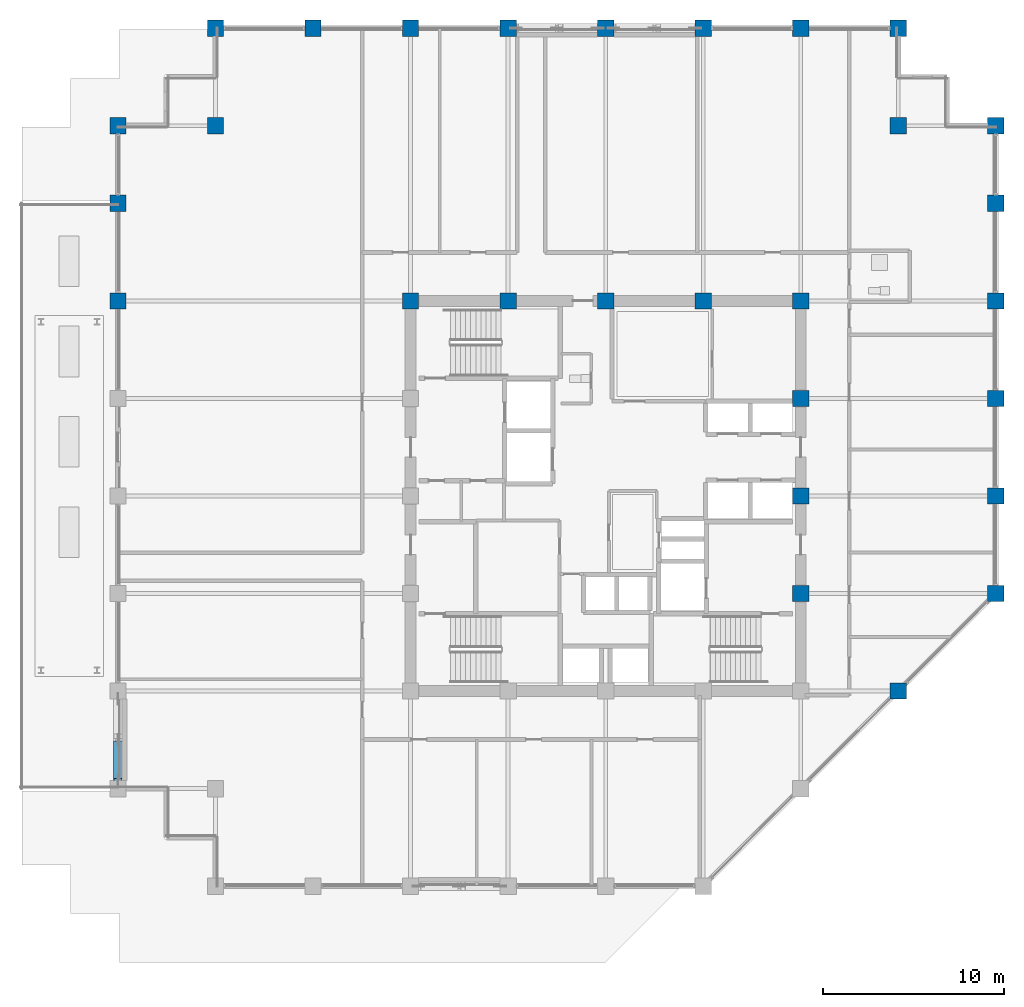
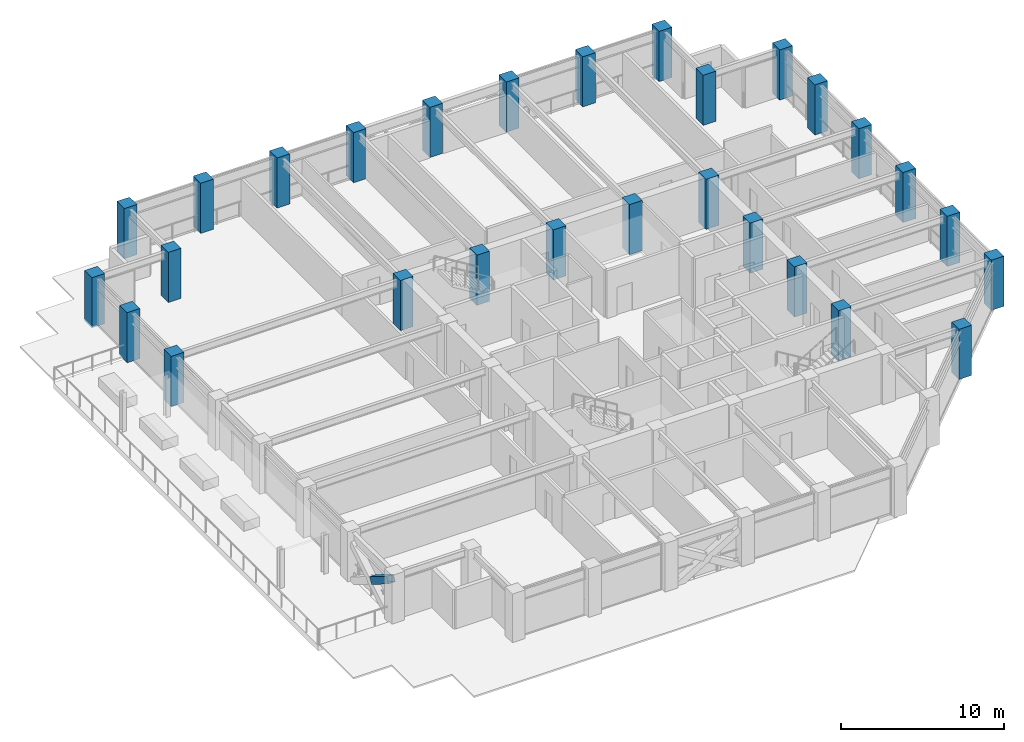
# One storey, part 2 of 36: 28 columns, 1 member.
"""IFC4 building model written with IfcOpenShell, lengths in metres."""

from ifc_helpers import new_model, si_unit, direction, frame, origin, origin_2d, place, context, subcontext, project, spatial, rectangle, hollow_rectangle, extrude, material, material_profile, profile_set, type_object, element, save


model = new_model("IFC4")

# Units and contexts
model_context = context("Model", 3, precision=1e-05, world=origin(), true_north=direction((0.0, 1.0)))
body_context = subcontext(model_context, "Body", "Model", "MODEL_VIEW")
ifc_project = project(units=[si_unit("LENGTHUNIT", "METRE"), si_unit("AREAUNIT", "SQUARE_METRE"), si_unit("VOLUMEUNIT", "CUBIC_METRE"), si_unit("PLANEANGLEUNIT", "RADIAN"), si_unit("MASSUNIT", "GRAM", prefix="KILO")], contexts=[model_context])

# Site, building, storey
site_placement = place(None, origin())
site = spatial("IfcSite", under=ifc_project, at=site_placement, CompositionType="ELEMENT")
building_placement = place(site_placement, origin())
building = spatial("IfcBuilding", under=site, at=building_placement, Name="Surkhivell Harbour Commons", CompositionType="ELEMENT")
storey_placement = place(building_placement, frame((0.0, 0.0, 171.0)))
storey = spatial("IfcBuildingStorey", under=building, at=storey_placement, Name="L44", CompositionType="ELEMENT", Elevation=171.0)

# Columns
ifc_material_1 = material(Name="Concrete C60/75", Category="concrete")
ifc_material_profile_1 = material_profile(ifc_material_1, rectangle(XDim=0.89990234375, YDim=0.89990234375, at=origin_2d()), Name="RC-COL-900x900")
ifc_profile_set_1 = profile_set([ifc_material_profile_1], Name="Concrete C60/75")
column_type = type_object("IfcColumnType", Name="COL-TUBE-Z3A", PredefinedType="COLUMN", material=ifc_profile_set_1)
for number, where, z_axis, x_axis, name in (
    (1, (-27.0, 10.800048828125, 0.0), (0.0, 0.0, 1.0), (1.0, 0.0, 0.0), "L44 Column CT-3A (-27.0,10.8)"),
    (2, (-27.0, 16.199951171875, 0.0), (0.0, 0.0, 1.0), (1.0, 0.0, 0.0), "L44 Column CT-3A (-27.0,16.2)"),
    (3, (-27.0, 20.5, 0.0), (0.0, 0.0, 1.0), (1.0, 0.0, 0.0), "L44 Column CT-3A (-27.0,20.5)"),
    (4, (-21.60009765625, 20.5, 0.0), (0.0, 0.0, 1.0), (1.0, 0.0, 0.0), "L44 Column CT-3A (-21.6,20.5)"),
    (5, (-21.60009765625, 25.89990234375, 0.0), (0.0, 0.0, 1.0), (1.0, 0.0, 0.0), "L44 Column CT-3A (-21.6,25.9)"),
    (6, (-16.199951171875, 25.89990234375, 0.0), (0.0, 0.0, 1.0), (1.0, 0.0, 0.0), "L44 Column CT-3A (-16.2,25.9)"),
    (7, (-10.800048828125, 10.800048828125, 0.0), (0.0, 0.0, 1.0), (1.0, 0.0, 0.0), "L44 Column CT-3A (-10.8,10.8)"),
    (8, (-10.800048828125, 25.89990234375, 0.0), (0.0, 0.0, 1.0), (1.0, 0.0, 0.0), "L44 Column CT-3A (-10.8,25.9)"),
    (9, (-5.39990234375, 10.800048828125, 0.0), (0.0, 0.0, 1.0), (1.0, 0.0, 0.0), "L44 Column CT-3A (-5.4,10.8)"),
    (10, (-5.39990234375, 25.89990234375, 0.0), (0.0, 0.0, 1.0), (1.0, 0.0, 0.0), "L44 Column CT-3A (-5.4,25.9)"),
    (11, (0.0, 10.800048828125, 0.0), (0.0, 0.0, 1.0), (1.0, 0.0, 0.0), "L44 Column CT-3A (0.0,10.8)"),
    (12, (0.0, 25.89990234375, 0.0), (0.0, 0.0, 1.0), (1.0, 0.0, 0.0), "L44 Column CT-3A (-0.0,25.9)"),
    (13, (5.39990234375, 10.800048828125, 0.0), (0.0, 0.0, 1.0), (1.0, 0.0, 0.0), "L44 Column CT-3A (5.4,10.8)"),
    (14, (5.39990234375, 25.89990234375, 0.0), (0.0, 0.0, 1.0), (1.0, 0.0, 0.0), "L44 Column CT-3A (5.4,25.9)"),
    (15, (10.800048828125, -5.39990234375, 0.0), (0.0, 0.0, 1.0), (1.0, 0.0, 0.0), "L44 Column CT-3A (10.8,-5.4)"),
    (16, (10.800048828125, 0.0, 0.0), (0.0, 0.0, 1.0), (1.0, 0.0, 0.0), "L44 Column CT-3A (10.8,0.0)"),
    (17, (10.800048828125, 5.39990234375, 0.0), (0.0, 0.0, 1.0), (1.0, 0.0, 0.0), "L44 Column CT-3A (10.8,5.4)"),
    (18, (10.800048828125, 10.800048828125, 0.0), (0.0, 0.0, 1.0), (1.0, 0.0, 0.0), "L44 Column CT-3A (10.8,10.8)"),
    (19, (10.800048828125, 25.89990234375, 0.0), (0.0, 0.0, 1.0), (1.0, 0.0, 0.0), "L44 Column CT-3A (10.8,25.9)"),
    (20, (16.199951171875, -10.800048828125, 0.0), (0.0, 0.0, 1.0), (1.0, 0.0, 0.0), "L44 Column CT-3A (16.2,-10.8)"),
    (21, (16.199951171875, 20.5, 0.0), (0.0, 0.0, 1.0), (1.0, 0.0, 0.0), "L44 Column CT-3A (16.2,20.5)"),
    (22, (16.199951171875, 25.89990234375, 0.0), (0.0, 0.0, 1.0), (1.0, 0.0, 0.0), "L44 Column CT-3A (16.2,25.9)"),
    (23, (21.60009765625, -5.39990234375, 0.0), (0.0, 0.0, 1.0), (1.0, 0.0, 0.0), "L44 Column CT-3A (21.6,-5.4)"),
    (24, (21.60009765625, 0.0, 0.0), (0.0, 0.0, 1.0), (1.0, 0.0, 0.0), "L44 Column CT-3A (21.6,0.0)"),
    (25, (21.60009765625, 5.39990234375, 0.0), (0.0, 0.0, 1.0), (1.0, 0.0, 0.0), "L44 Column CT-3A (21.6,5.4)"),
    (26, (21.60009765625, 10.800048828125, 0.0), (0.0, 0.0, 1.0), (1.0, 0.0, 0.0), "L44 Column CT-3A (21.6,10.8)"),
    (27, (21.60009765625, 16.199951171875, 0.0), (0.0, 0.0, 1.0), (1.0, 0.0, 0.0), "L44 Column CT-3A (21.6,16.2)"),
    (28, (21.60009765625, 20.5, 0.0), (0.0, 0.0, 1.0), (1.0, 0.0, 0.0), "L44 Column CT-3A (21.6,20.5)"),
):
    element("IfcColumn", number, at=place(storey_placement, frame(where, z_axis=z_axis, x_axis=x_axis)), inside=storey, type_object=column_type, Name=name, PredefinedType="COLUMN", context=body_context, shape_type="SweptSolid", body=[
        extrude(rectangle(XDim=0.89990234375, YDim=0.89990234375, at=origin_2d()), origin(), (0.0, 0.0, 1.0), 3.75),
    ])

# Member
ifc_material_2 = material(Name="Steel S460", Category="steel")
ifc_material_profile_2 = material_profile(ifc_material_2, hollow_rectangle(XDim=0.5, YDim=0.5, WallThickness=0.02490234375, at=origin_2d()), Name="SHS500x500x25")
ifc_profile_set_2 = profile_set([ifc_material_profile_2], Name="Steel S460")
member_type = type_object("IfcMemberType", Name="MEM-BRC-SHS500", PredefinedType="BRACE", material=ifc_profile_set_2)
member_placement = place(storey_placement, frame((-27.0, -13.7041015625, 1.531982421875), z_axis=(0.0, -0.850958361341, 0.525233155146), x_axis=(1.0, 0.0, 0.0)))
element("IfcMember", 29, at=member_placement, inside=storey, type_object=member_type, Name="L44 Perimeter Mega-Brace MB- 12", PredefinedType="BRACE", context=body_context, shape_type="SweptSolid", body=[
    extrude(hollow_rectangle(XDim=0.5, YDim=0.5, WallThickness=0.02490234375, at=origin_2d()), origin(), (0.0, 0.0, 1.0), 2.421630859375),
])

save(model, "model.ifc")
